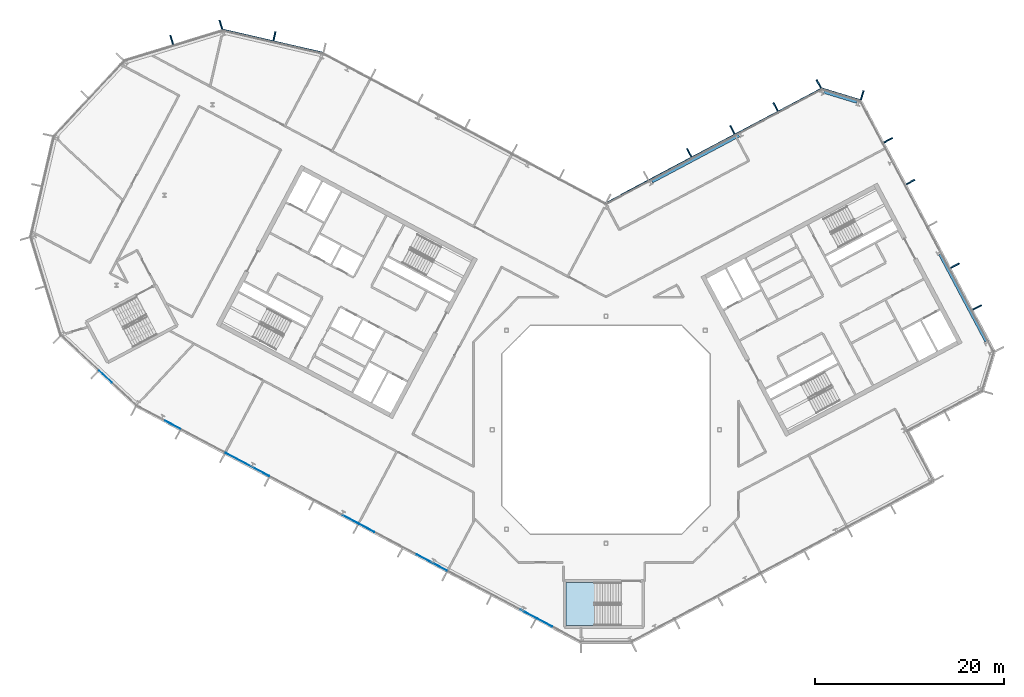
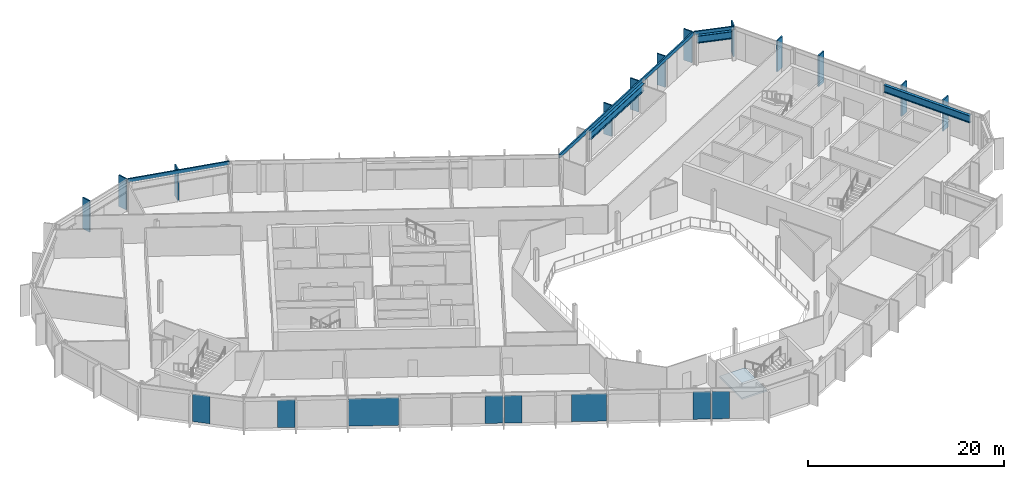
# One storey, part 10 of 25: 15 members, 8 plates, 3 beams, 1 slab, 8 elements without a shape of their own.
"""IFC4 building model written with IfcOpenShell, lengths in metres."""

from ifc_helpers import new_model, si_unit, direction, frame, origin, origin_2d, place, context, subcontext, project, spatial, polyline, rectangle, i_section, outline, extrude, material, layer, layer_set, material_profile, profile_set, type_object, element, aggregate, save


model = new_model("IFC4")

# Units and contexts
model_context = context("Model", 3, precision=1e-05, world=origin(), true_north=direction((0.0, 1.0)))
body_context = subcontext(model_context, "Body", "Model", "MODEL_VIEW")
ifc_project = project(units=[si_unit("LENGTHUNIT", "METRE"), si_unit("AREAUNIT", "SQUARE_METRE"), si_unit("VOLUMEUNIT", "CUBIC_METRE"), si_unit("PLANEANGLEUNIT", "RADIAN"), si_unit("MASSUNIT", "GRAM", prefix="KILO")], contexts=[model_context])

# Site, building, storey
site_placement = place(None, origin())
site = spatial("IfcSite", under=ifc_project, at=site_placement, CompositionType="ELEMENT")
building_placement = place(site_placement, origin())
building = spatial("IfcBuilding", under=site, at=building_placement, Name="Cormorant Relay Tower", CompositionType="ELEMENT")
storey_placement = place(building_placement, frame((0.0, 0.0, 265.800048828125)))
storey = spatial("IfcBuildingStorey", under=building, at=storey_placement, Name="L59", CompositionType="ELEMENT", Elevation=265.800048828125)

# Curtain wall, members
ifc_material_1 = material(Name="Aluminium 6063-T6 anodised bronze", Category="aluminium")
ifc_layer_1 = layer(ifc_material_1, 0.199951171875)
ifc_layer_set_1 = layer_set([ifc_layer_1], Name="CW1 unitised bronze curtain wall with vertical fins")
curtain_wall_type = type_object("IfcCurtainWallType", Name="CW1 unitised bronze curtain wall with vertical fins", PredefinedType="NOTDEFINED", material=ifc_layer_set_1)
curtain_wall_1_placement = place(storey_placement, origin())
curtain_wall_1 = element("IfcCurtainWall", 1, at=curtain_wall_1_placement, inside=storey, type_object=curtain_wall_type, Name="CW1 curtain wall 6", PredefinedType="NOTDEFINED")
ifc_material_2 = material(Name="Aluminium 6063-T6 anodised bronze", Category="aluminium")
ifc_material_profile_1 = material_profile(ifc_material_2, rectangle(XDim=0.14990234375, YDim=1.0, at=origin_2d()), Name="AL 150x1000")
ifc_profile_set_1 = profile_set([ifc_material_profile_1], Name="Aluminium 6063-T6 anodised bronze")
member_type_1 = type_object("IfcMemberType", Name="CW1 bronze fin mullion 150 x 1000", PredefinedType="MULLION", material=ifc_profile_set_1)
member_1_placement = place(storey_placement, frame((39.222412109375, 12.927001953125, 0.0), z_axis=(0.0, 0.0, 1.0), x_axis=(-0.469471562786, 0.882947592859, 0.0)))
member_1 = element("IfcMember", 2, at=member_1_placement, type_object=member_type_1, Name="CW1 fin 6.2", PredefinedType="MULLION", context=body_context, shape_type="SweptSolid", body=[
    extrude(rectangle(XDim=0.14990234375, YDim=1.0, at=origin_2d()), origin(), (0.0, 0.0, 1.0), 3.89990234375),
])
member_2_placement = place(storey_placement, frame((36.875, 17.341552734375, 0.0), z_axis=(0.0, 0.0, 1.0), x_axis=(-0.469471562786, 0.882947592859, 0.0)))
member_2 = element("IfcMember", 3, at=member_2_placement, type_object=member_type_1, Name="CW1 fin 6.3", PredefinedType="MULLION", context=body_context, shape_type="SweptSolid", body=[
    extrude(rectangle(XDim=0.14990234375, YDim=1.0, at=origin_2d()), origin(), (0.0, 0.0, 1.0), 3.89990234375),
])
member_3_placement = place(storey_placement, frame((32.18017578125, 26.171142578125, 0.0), z_axis=(0.0, 0.0, 1.0), x_axis=(-0.469471562786, 0.882947592859, 0.0)))
member_3 = element("IfcMember", 4, at=member_3_placement, type_object=member_type_1, Name="CW1 fin 6.5", PredefinedType="MULLION", context=body_context, shape_type="SweptSolid", body=[
    extrude(rectangle(XDim=0.14990234375, YDim=1.0, at=origin_2d()), origin(), (0.0, 0.0, 1.0), 3.89990234375),
])
member_4_placement = place(storey_placement, frame((29.832763671875, 30.585693359375, 0.0), z_axis=(0.0, 0.0, 1.0), x_axis=(-0.469471562786, 0.882947592859, 0.0)))
member_4 = element("IfcMember", 5, at=member_4_placement, type_object=member_type_1, Name="CW1 fin 6.6", PredefinedType="MULLION", context=body_context, shape_type="SweptSolid", body=[
    extrude(rectangle(XDim=0.14990234375, YDim=1.0, at=origin_2d()), origin(), (0.0, 0.0, 1.0), 3.89990234375),
])
aggregate(curtain_wall_1, [member_1, member_2, member_3, member_4])

# Curtain wall, member
curtain_wall_2_placement = place(storey_placement, origin())
curtain_wall_2 = element("IfcCurtainWall", 6, at=curtain_wall_2_placement, inside=storey, type_object=curtain_wall_type, Name="CW1 curtain wall 7", PredefinedType="NOTDEFINED")
member_5_placement = place(storey_placement, frame((27.072021484375, 35.34130859375, 0.0), z_axis=(0.0, 0.0, 1.0), x_axis=(-0.956304755963, 0.292371704723, 0.0)))
member_5 = element("IfcMember", 7, at=member_5_placement, type_object=member_type_1, Name="CW1 fin 7.1", PredefinedType="MULLION", context=body_context, shape_type="SweptSolid", body=[
    extrude(rectangle(XDim=0.14990234375, YDim=1.0, at=origin_2d()), origin(), (0.0, 0.0, 1.0), 3.89990234375),
])

# Curtain wall, members
curtain_wall_3_placement = place(storey_placement, origin())
curtain_wall_3 = element("IfcCurtainWall", 8, at=curtain_wall_3_placement, inside=storey, type_object=curtain_wall_type, Name="CW1 curtain wall 8", PredefinedType="NOTDEFINED")
member_6_placement = place(storey_placement, frame((22.4814453125, 36.530517578125, 0.0), z_axis=(0.0, 0.0, 1.0), x_axis=(-0.882947592859, -0.469471562786, 0.0)))
member_6 = element("IfcMember", 9, at=member_6_placement, type_object=member_type_1, Name="CW1 fin 8.1", PredefinedType="MULLION", context=body_context, shape_type="SweptSolid", body=[
    extrude(rectangle(XDim=0.14990234375, YDim=1.0, at=origin_2d()), origin(), (0.0, 0.0, 1.0), 3.89990234375),
])
member_7_placement = place(storey_placement, frame((17.91943359375, 34.104736328125, 0.0), z_axis=(0.0, 0.0, 1.0), x_axis=(-0.882947592859, -0.469471562786, 0.0)))
member_7 = element("IfcMember", 10, at=member_7_placement, type_object=member_type_1, Name="CW1 fin 8.2", PredefinedType="MULLION", context=body_context, shape_type="SweptSolid", body=[
    extrude(rectangle(XDim=0.14990234375, YDim=1.0, at=origin_2d()), origin(), (0.0, 0.0, 1.0), 3.89990234375),
])
member_8_placement = place(storey_placement, frame((13.357421875, 31.67919921875, 0.0), z_axis=(0.0, 0.0, 1.0), x_axis=(-0.882947592859, -0.469471562786, 0.0)))
member_8 = element("IfcMember", 11, at=member_8_placement, type_object=member_type_1, Name="CW1 fin 8.3", PredefinedType="MULLION", context=body_context, shape_type="SweptSolid", body=[
    extrude(rectangle(XDim=0.14990234375, YDim=1.0, at=origin_2d()), origin(), (0.0, 0.0, 1.0), 3.89990234375),
])
member_9_placement = place(storey_placement, frame((8.79541015625, 29.25341796875, 0.0), z_axis=(0.0, 0.0, 1.0), x_axis=(-0.882947592859, -0.469471562786, 0.0)))
member_9 = element("IfcMember", 12, at=member_9_placement, type_object=member_type_1, Name="CW1 fin 8.4", PredefinedType="MULLION", context=body_context, shape_type="SweptSolid", body=[
    extrude(rectangle(XDim=0.14990234375, YDim=1.0, at=origin_2d()), origin(), (0.0, 0.0, 1.0), 3.89990234375),
])

# Curtain wall, member
curtain_wall_4_placement = place(storey_placement, origin())
curtain_wall_4 = element("IfcCurtainWall", 13, at=curtain_wall_4_placement, inside=storey, type_object=curtain_wall_type, Name="CW1 curtain wall 10", PredefinedType="NOTDEFINED")
member_10_placement = place(storey_placement, frame((-35.01220703125, 41.57275390625, 0.0), z_axis=(0.0, 0.0, 1.0), x_axis=(-0.974370064785, 0.224951054344, 0.0)))
member_10 = element("IfcMember", 14, at=member_10_placement, type_object=member_type_1, Name="CW1 fin 10.2", PredefinedType="MULLION", context=body_context, shape_type="SweptSolid", body=[
    extrude(rectangle(XDim=0.14990234375, YDim=1.0, at=origin_2d()), origin(), (0.0, 0.0, 1.0), 3.89990234375),
])

# Curtain wall, members
curtain_wall_5_placement = place(storey_placement, origin())
curtain_wall_5 = element("IfcCurtainWall", 15, at=curtain_wall_5_placement, inside=storey, type_object=curtain_wall_type, Name="CW1 curtain wall 11", PredefinedType="NOTDEFINED")
member_11_placement = place(storey_placement, frame((-40.670166015625, 42.78271484375, 0.0), z_axis=(0.0, 0.0, 1.0), x_axis=(-0.956304755963, -0.292371704723, 0.0)))
member_11 = element("IfcMember", 16, at=member_11_placement, type_object=member_type_1, Name="CW1 fin 11.1", PredefinedType="MULLION", context=body_context, shape_type="SweptSolid", body=[
    extrude(rectangle(XDim=0.14990234375, YDim=1.0, at=origin_2d()), origin(), (0.0, 0.0, 1.0), 3.89990234375),
])
member_12_placement = place(storey_placement, frame((-45.867919921875, 41.193603515625, 0.0), z_axis=(0.0, 0.0, 1.0), x_axis=(-0.956304755963, -0.292371704723, 0.0)))
member_12 = element("IfcMember", 17, at=member_12_placement, type_object=member_type_1, Name="CW1 fin 11.2", PredefinedType="MULLION", context=body_context, shape_type="SweptSolid", body=[
    extrude(rectangle(XDim=0.14990234375, YDim=1.0, at=origin_2d()), origin(), (0.0, 0.0, 1.0), 3.89990234375),
])
aggregate(curtain_wall_5, [member_11, member_12])

# Member
ifc_material_3 = material(Name="Aluminium 6063-T6 anodised bronze", Category="aluminium")
ifc_material_profile_2 = material_profile(ifc_material_3, rectangle(XDim=0.159912109375, YDim=0.449951171875, at=origin_2d()), Name="AL 160x450")
ifc_profile_set_2 = profile_set([ifc_material_profile_2], Name="Aluminium 6063-T6 anodised bronze")
member_type_2 = type_object("IfcMemberType", Name="CW1 bronze transom 160 x 450", PredefinedType="USERDEFINED", material=ifc_profile_set_2)
member_13_placement = place(storey_placement, frame((26.902587890625, 34.78662109375, 3.675048828125), z_axis=(-0.956303761594, 0.292374957137, 0.0), x_axis=(-0.292374957137, -0.956303761594, 0.0)))
member_13 = element("IfcMember", 18, at=member_13_placement, type_object=member_type_2, Name="CW1 transom 7", ObjectType="TRANSOM", PredefinedType="USERDEFINED", context=body_context, shape_type="SweptSolid", body=[
    extrude(rectangle(XDim=0.159912109375, YDim=0.449951171875, at=origin_2d()), origin(), (0.0, 0.0, 1.0), 4.24267578125),
])

aggregate(curtain_wall_2, [member_5, member_13])

member_14_placement = place(storey_placement, frame((22.75390625, 36.018310546875, 3.675048828125), z_axis=(-0.882948156597, -0.469470502547, 0.0), x_axis=(0.469470502547, -0.882948156597, 0.0)))
member_14 = element("IfcMember", 19, at=member_14_placement, type_object=member_type_2, Name="CW1 transom 8", ObjectType="TRANSOM", PredefinedType="USERDEFINED", context=body_context, shape_type="SweptSolid", body=[
    extrude(rectangle(XDim=0.159912109375, YDim=0.449951171875, at=origin_2d()), origin(), (0.0, 0.0, 1.0), 25.834228515625),
])

aggregate(curtain_wall_3, [member_6, member_7, member_8, member_9, member_14])

member_15_placement = place(storey_placement, frame((-29.8466796875, 39.784912109375, 3.675048828125), z_axis=(-0.974365070969, 0.224972683844, 0.0), x_axis=(-0.224972683844, -0.974365070969, 0.0)))
member_15 = element("IfcMember", 20, at=member_15_placement, type_object=member_type_2, Name="CW1 transom 10", ObjectType="TRANSOM", PredefinedType="USERDEFINED", context=body_context, shape_type="SweptSolid", body=[
    extrude(rectangle(XDim=0.159912109375, YDim=0.449951171875, at=origin_2d()), origin(), (0.0, 0.0, 1.0), 10.870361328125),
])

aggregate(curtain_wall_4, [member_10, member_15])

# Beams
ifc_material_4 = material(Name="Steel ASTM A992 (Fy 345 MPa)", Category="steel")
ifc_material_profile_3 = material_profile(ifc_material_4, i_section(OverallWidth=0.307373046875, OverallDepth=0.927001953125, WebThickness=0.019287109375, FlangeThickness=0.031982421875, FilletRadius=0.01904296875, at=origin_2d()), Name="W920x289")
ifc_profile_set_3 = profile_set([ifc_material_profile_3], Name="Steel ASTM A992 (Fy 345 MPa)")
beam_type = type_object("IfcBeamType", Name="Spandrel W920x289", PredefinedType="SPANDREL", material=ifc_profile_set_3)
beam_1_placement = place(storey_placement, frame((40.1591796875, 9.3466796875, 3.076416015625), z_axis=(-0.469474391681, 0.882946088703, 0.0), x_axis=(-0.882946088703, -0.469474391681, 0.0)))
element("IfcBeam", 21, at=beam_1_placement, inside=storey, type_object=beam_type, Name="Spandrel beam L59-006", PredefinedType="SPANDREL", context=body_context, shape_type="SweptSolid", body=[
    extrude(i_section(OverallWidth=0.307373046875, OverallDepth=0.927001953125, WebThickness=0.019287109375, FlangeThickness=0.031982421875, FilletRadius=0.01904296875, at=origin_2d()), origin(), (0.0, 0.0, 1.0), 10.401611328125),
])
beam_2_placement = place(storey_placement, frame((26.512451171875, 34.619873046875, 3.076416015625), z_axis=(-0.956313678807, 0.292342517821, 0.0), x_axis=(-0.292342517821, -0.956313678807, 0.0)))
element("IfcBeam", 22, at=beam_2_placement, inside=storey, type_object=beam_type, Name="Spandrel beam L59-007", PredefinedType="SPANDREL", context=body_context, shape_type="SweptSolid", body=[
    extrude(i_section(OverallWidth=0.307373046875, OverallDepth=0.927001953125, WebThickness=0.019287109375, FlangeThickness=0.031982421875, FilletRadius=0.01904296875, at=origin_2d()), origin(), (0.0, 0.0, 1.0), 3.65185546875),
])
beam_3_placement = place(storey_placement, frame((14.05322265625, 31.082275390625, 3.076416015625), z_axis=(-0.882950644937, -0.469465822617, 0.0), x_axis=(0.469465822617, -0.882950644937, 0.0)))
element("IfcBeam", 23, at=beam_3_placement, inside=storey, type_object=beam_type, Name="Spandrel beam L59-008", PredefinedType="SPANDREL", context=body_context, shape_type="SweptSolid", body=[
    extrude(i_section(OverallWidth=0.307373046875, OverallDepth=0.927001953125, WebThickness=0.019287109375, FlangeThickness=0.031982421875, FilletRadius=0.01904296875, at=origin_2d()), origin(), (0.0, 0.0, 1.0), 10.4013671875),
])

# Curtain wall, plate
curtain_wall_6_placement = place(storey_placement, origin())
curtain_wall_6 = element("IfcCurtainWall", 24, at=curtain_wall_6_placement, inside=storey, type_object=curtain_wall_type, Name="CW1 curtain wall 15", PredefinedType="NOTDEFINED")
ifc_material_5 = material(Name="Tinted laminated glass", Category="glass")
ifc_layer_2 = layer(ifc_material_5, 0.0400390625)
ifc_layer_set_2 = layer_set([ifc_layer_2], Name="CW1 tinted vision panel 1800 module")
plate_type_1 = type_object("IfcPlateType", Name="CW1 tinted vision panel 1800 module", PredefinedType="CURTAIN_PANEL", material=ifc_layer_set_2)
plate_1_placement = place(storey_placement, frame((-52.8671875, 5.611572265625, 0.0), z_axis=(0.0, 0.0, 1.0), x_axis=(0.731353701619, -0.681998360062, 0.0)))
plate_1 = element("IfcPlate", 25, at=plate_1_placement, type_object=plate_type_1, Name="CW1 panel V01", PredefinedType="CURTAIN_PANEL", context=body_context, shape_type="SweptSolid", body=[
    extrude(rectangle(XDim=1.800048828125, YDim=0.0400390625, at=origin_2d()), origin(), (0.0, 0.0, 1.0), 3.449951171875),
])
aggregate(curtain_wall_6, [plate_1])

# Curtain wall, plates
curtain_wall_7_placement = place(storey_placement, origin())
curtain_wall_7 = element("IfcCurtainWall", 26, at=curtain_wall_7_placement, inside=storey, type_object=curtain_wall_type, Name="CW1 curtain wall 16", PredefinedType="NOTDEFINED")
plate_2_placement = place(storey_placement, frame((-45.767578125, 0.5283203125, 0.0), z_axis=(0.0, 0.0, 1.0), x_axis=(0.882947592859, -0.469471562786, 0.0)))
plate_2 = element("IfcPlate", 27, at=plate_2_placement, type_object=plate_type_1, Name="CW1 panel V01", PredefinedType="CURTAIN_PANEL", context=body_context, shape_type="SweptSolid", body=[
    extrude(rectangle(XDim=1.800048828125, YDim=0.0400390625, at=origin_2d()), origin(), (0.0, 0.0, 1.0), 3.449951171875),
])
plate_3_placement = place(storey_placement, frame((-26.990478515625, -9.45556640625, 0.0), z_axis=(0.0, 0.0, 1.0), x_axis=(0.882947592859, -0.469471562786, 0.0)))
plate_3 = element("IfcPlate", 28, at=plate_3_placement, type_object=plate_type_1, Name="CW1 panel V05", PredefinedType="CURTAIN_PANEL", context=body_context, shape_type="SweptSolid", body=[
    extrude(rectangle(XDim=1.800048828125, YDim=0.0400390625, at=origin_2d()), origin(), (0.0, 0.0, 1.0), 3.449951171875),
])
plate_4_placement = place(storey_placement, frame((-25.268798828125, -10.37109375, 0.0), z_axis=(0.0, 0.0, 1.0), x_axis=(0.882947592859, -0.469471562786, 0.0)))
plate_4 = element("IfcPlate", 29, at=plate_4_placement, type_object=plate_type_1, Name="CW1 panel V06", PredefinedType="CURTAIN_PANEL", context=body_context, shape_type="SweptSolid", body=[
    extrude(rectangle(XDim=1.800048828125, YDim=0.0400390625, at=origin_2d()), origin(), (0.0, 0.0, 1.0), 3.449951171875),
])
plate_5_placement = place(storey_placement, frame((-8.21337890625, -19.439453125, 0.0), z_axis=(0.0, 0.0, 1.0), x_axis=(0.882947592859, -0.469471562786, 0.0)))
plate_5 = element("IfcPlate", 30, at=plate_5_placement, type_object=plate_type_1, Name="CW1 panel V10", PredefinedType="CURTAIN_PANEL", context=body_context, shape_type="SweptSolid", body=[
    extrude(rectangle(XDim=1.800048828125, YDim=0.0400390625, at=origin_2d()), origin(), (0.0, 0.0, 1.0), 3.449951171875),
])
plate_6_placement = place(storey_placement, frame((-6.49169921875, -20.35498046875, 0.0), z_axis=(0.0, 0.0, 1.0), x_axis=(0.882947592859, -0.469471562786, 0.0)))
plate_6 = element("IfcPlate", 31, at=plate_6_placement, type_object=plate_type_1, Name="CW1 panel V11", PredefinedType="CURTAIN_PANEL", context=body_context, shape_type="SweptSolid", body=[
    extrude(rectangle(XDim=1.800048828125, YDim=0.0400390625, at=origin_2d()), origin(), (0.0, 0.0, 1.0), 3.449951171875),
])
ifc_material_6 = material(Name="Tinted laminated glass", Category="glass")
ifc_layer_3 = layer(ifc_material_6, 0.0400390625)
ifc_layer_set_3 = layer_set([ifc_layer_3], Name="CW1 tinted vision panel 3600 module")
plate_type_2 = type_object("IfcPlateType", Name="CW1 tinted vision panel 3600 module", PredefinedType="CURTAIN_PANEL", material=ifc_layer_set_3)
plate_7_placement = place(storey_placement, frame((-18.396484375, -14.02490234375, 0.0), z_axis=(0.0, 0.0, 1.0), x_axis=(0.882947592859, -0.469471562786, 0.0)))
plate_7 = element("IfcPlate", 32, at=plate_7_placement, type_object=plate_type_2, Name="CW1 panel V08", PredefinedType="CURTAIN_PANEL", context=body_context, shape_type="SweptSolid", body=[
    extrude(rectangle(XDim=3.60009765625, YDim=0.0400390625, at=origin_2d()), origin(), (0.0, 0.0, 1.0), 3.449951171875),
])
ifc_material_7 = material(Name="Tinted laminated glass", Category="glass")
ifc_layer_4 = layer(ifc_material_7, 0.0400390625)
ifc_layer_set_4 = layer_set([ifc_layer_4], Name="CW1 tinted vision panel 5400 module")
plate_type_3 = type_object("IfcPlateType", Name="CW1 tinted vision panel 5400 module", PredefinedType="CURTAIN_PANEL", material=ifc_layer_set_4)
plate_8_placement = place(storey_placement, frame((-37.865234375, -3.67333984375, 0.0), z_axis=(0.0, 0.0, 1.0), x_axis=(0.882947592859, -0.469471562786, 0.0)))
plate_8 = element("IfcPlate", 33, at=plate_8_placement, type_object=plate_type_3, Name="CW1 panel V03", PredefinedType="CURTAIN_PANEL", context=body_context, shape_type="SweptSolid", body=[
    extrude(rectangle(XDim=5.16650390625, YDim=0.0400390625, at=origin_2d()), origin(), (0.0, 0.0, 1.0), 3.449951171875),
])
aggregate(curtain_wall_7, [plate_2, plate_8, plate_3, plate_4, plate_7, plate_5, plate_6])

# Stair, slab
ifc_material_8 = material(Name="Concrete 40 MPa", Category="concrete")
stair_type = type_object("IfcStairType", Name="Remote exit stair 2200", PredefinedType="HALF_TURN_STAIR", material=ifc_material_8)
stair_placement = place(storey_placement, origin())
stair = element("IfcStair", 34, at=stair_placement, inside=storey, type_object=stair_type, Name="L59 Stair", PredefinedType="HALF_TURN_STAIR")
ifc_material_9 = material(Name="Concrete 40 MPa", Category="concrete")
ifc_layer_5 = layer(ifc_material_9, 0.199951171875)
ifc_layer_set_5 = layer_set([ifc_layer_5], Name="Exit stair landing 200")
slab_type = type_object("IfcSlabType", Name="Exit stair landing 200", PredefinedType="LANDING", material=ifc_layer_set_5)
slab_placement = place(storey_placement, frame((0.0, 0.0, 1.75)))
slab = element("IfcSlab", 35, at=slab_placement, type_object=slab_type, Name="RK1 landing 1", PredefinedType="LANDING", context=body_context, shape_type="SweptSolid", body=[
    extrude(outline(polyline([(-1.199951171875, -16.125), (-4.199951171875, -16.125), (-4.199951171875, -20.675048828125), (-1.199951171875, -20.675048828125), (-1.199951171875, -16.125)])), origin(), (0.0, 0.0, 1.0), 0.199951171875),
])
aggregate(stair, [slab])

save(model, "model.ifc")
